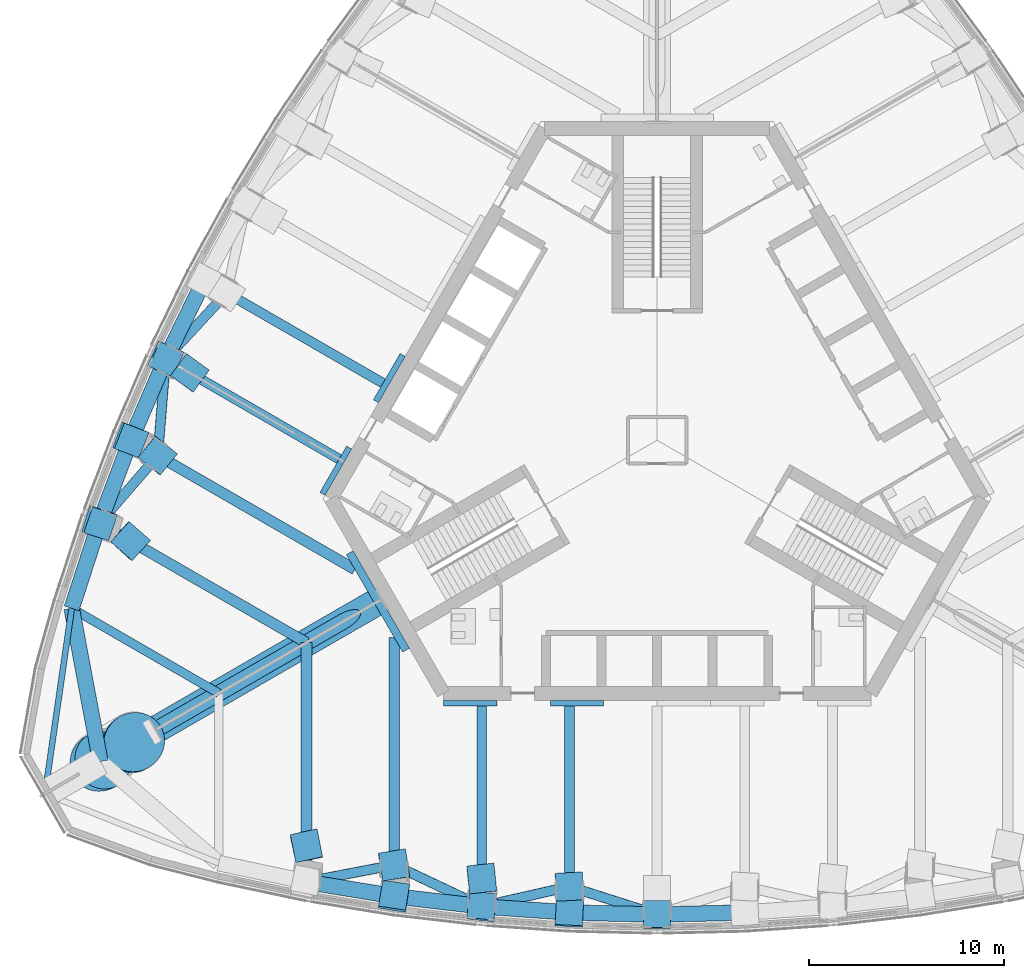
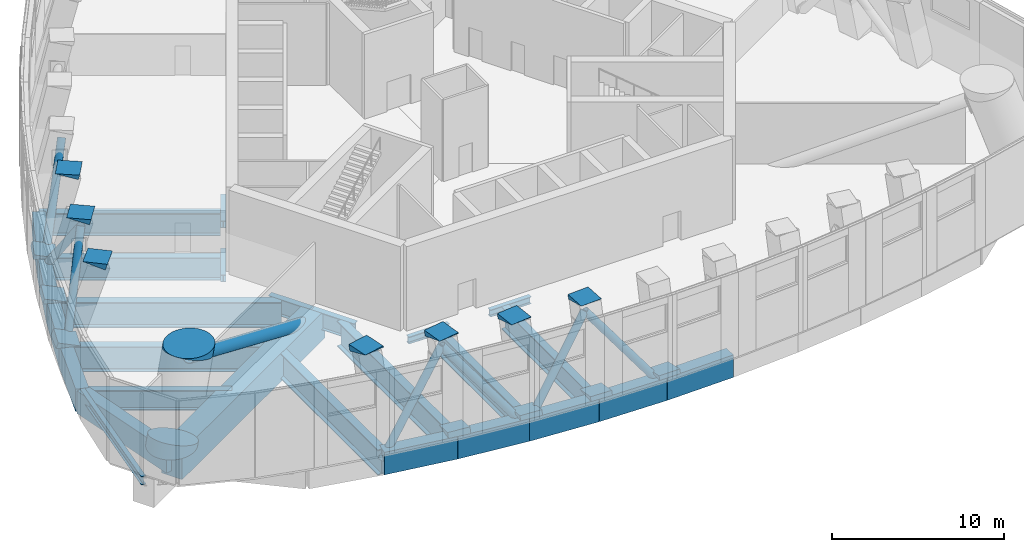
# One storey, part 2 of 22: 27 beams, 24 members.
"""IFC4 building model written with IfcOpenShell, lengths in metres."""

from ifc_helpers import new_model, si_unit, direction, frame, origin, origin_2d, place, context, subcontext, project, spatial, rectangle, circle, hollow_circle, i_section, extrude, clip, halfspace, material, material_profile, profile_set, type_object, element, save


model = new_model("IFC4")

# Units and contexts
model_context = context("Model", 3, precision=1e-05, world=origin(), true_north=direction((0.0, 1.0)))
body_context = subcontext(model_context, "Body", "Model", "MODEL_VIEW")
ifc_project = project(units=[si_unit("LENGTHUNIT", "METRE"), si_unit("AREAUNIT", "SQUARE_METRE"), si_unit("VOLUMEUNIT", "CUBIC_METRE"), si_unit("PLANEANGLEUNIT", "RADIAN"), si_unit("MASSUNIT", "GRAM", prefix="KILO")], contexts=[model_context])

# Site, building, storey
site_placement = place(None, origin())
site = spatial("IfcSite", under=ifc_project, at=site_placement, CompositionType="ELEMENT")
building_placement = place(site_placement, origin())
building = spatial("IfcBuilding", under=site, at=building_placement, Name="Trefoil Bronze Tower", CompositionType="ELEMENT")
storey_placement = place(building_placement, frame((0.0, 0.0, 265.300048828125)))
storey = spatial("IfcBuildingStorey", under=building, at=storey_placement, Name="L61", CompositionType="ELEMENT", Elevation=265.300048828125)

# Members
ifc_material_1 = material(Name="Steel C355", Category="steel")
ifc_material_profile_1 = material_profile(ifc_material_1, hollow_circle(Radius=0.25390625, WallThickness=0.02001953125, at=origin_2d()), Name="CHS 508x20")
ifc_profile_set_1 = profile_set([ifc_material_profile_1], Name="Steel C355")
member_type_1 = type_object("IfcMemberType", Name="Belt truss diagonal CHS 508x20", PredefinedType="BRACE", material=ifc_profile_set_1)
member_1_placement = place(storey_placement, frame((-18.0, -22.6689453125, -1.050048828125), z_axis=(0.592909499629, 0.114129931895, 0.797140316315), x_axis=(-0.189021276876, 0.981972991934, 0.0)))
element("IfcMember", 1, at=member_1_placement, inside=storey, type_object=member_type_1, Name="Belt truss diagonal F1.1 L61", PredefinedType="BRACE", context=body_context, shape_type="SweptSolid", body=[
    extrude(hollow_circle(Radius=0.25390625, WallThickness=0.02001953125, at=origin_2d()), origin(), (0.0, 0.0, 1.0), 7.589599609375),
])
member_2_placement = place(storey_placement, frame((-9.0, -23.932861328125, -1.050048828125), z_axis=(-0.574330415739, 0.271865933015, 0.7721615686), x_axis=(-0.427848134135, -0.903850637062, 0.0)))
element("IfcMember", 2, at=member_2_placement, inside=storey, type_object=member_type_1, Name="Belt truss diagonal F1.2 L61", PredefinedType="BRACE", context=body_context, shape_type="SweptSolid", body=[
    extrude(hollow_circle(Radius=0.25390625, WallThickness=0.02001953125, at=origin_2d()), origin(), (0.0, 0.0, 1.0), 7.835205078125),
])
member_3_placement = place(storey_placement, frame((-9.0, -23.932861328125, -1.050048828125), z_axis=(0.591432198827, 0.133932183046, 0.795154151429), x_axis=(-0.220861740551, 0.975305127414, 0.0)))
element("IfcMember", 3, at=member_3_placement, inside=storey, type_object=member_type_1, Name="Belt truss diagonal F1.3 L61", PredefinedType="BRACE", context=body_context, shape_type="SweptSolid", body=[
    extrude(hollow_circle(Radius=0.25390625, WallThickness=0.02001953125, at=origin_2d()), origin(), (0.0, 0.0, 1.0), 7.608642578125),
])
member_4_placement = place(storey_placement, frame((0.0, -24.3505859375, -1.050048828125), z_axis=(-0.586260665905, 0.187182292689, 0.788201256607), x_axis=(-0.304154940305, -0.952622575991, 0.0)))
element("IfcMember", 4, at=member_4_placement, inside=storey, type_object=member_type_1, Name="Belt truss diagonal F1.4 L61", PredefinedType="BRACE", context=body_context, shape_type="SweptSolid", body=[
    extrude(hollow_circle(Radius=0.25390625, WallThickness=0.02001953125, at=origin_2d()), origin(), (0.0, 0.0, 1.0), 7.67578125),
])
member_5_placement = place(storey_placement, frame((-25.2265625, 4.17236328125, -1.050048828125), z_axis=(0.411713780326, 0.445213054479, 0.795158537156), x_axis=(-0.734188455792, 0.678945735226, 0.0)))
element("IfcMember", 5, at=member_5_placement, inside=storey, type_object=member_type_1, Name="Belt truss diagonal F3.6 L61", PredefinedType="BRACE", context=body_context, shape_type="SweptSolid", body=[
    extrude(hollow_circle(Radius=0.25390625, WallThickness=0.02001953125, at=origin_2d()), origin(), (0.0, 0.0, 1.0), 7.608642578125),
])
member_6_placement = place(storey_placement, frame((-25.2265625, 4.17236328125, -1.050048828125), z_axis=(-0.051692615615, -0.633335807704, 0.772148708586), x_axis=(0.996685670692, -0.081349086278, 0.0)))
element("IfcMember", 6, at=member_6_placement, inside=storey, type_object=member_type_1, Name="Belt truss diagonal F3.7 L61", PredefinedType="BRACE", context=body_context, shape_type="SweptSolid", body=[
    extrude(hollow_circle(Radius=0.25390625, WallThickness=0.02001953125, at=origin_2d()), origin(), (0.0, 0.0, 1.0), 7.83544921875),
])
member_7_placement = place(storey_placement, frame((-28.632080078125, -4.25390625, -1.050048828125), z_axis=(0.395333956478, 0.456387158219, 0.797133504921), x_axis=(-0.755854289875, 0.654739866265, 0.0)))
element("IfcMember", 7, at=member_7_placement, inside=storey, type_object=member_type_1, Name="Belt truss diagonal F3.8 L61", PredefinedType="BRACE", context=body_context, shape_type="SweptSolid", body=[
    extrude(hollow_circle(Radius=0.25390625, WallThickness=0.02001953125, at=origin_2d()), origin(), (0.0, 0.0, 1.0), 7.58984375),
])
ifc_material_2 = material(Name="Concrete B80", Category="concrete")
ifc_material_profile_2 = material_profile(ifc_material_2, rectangle(XDim=1.39990234375, YDim=1.39990234375, at=origin_2d()), Name="RC 1400x1400")
ifc_profile_set_2 = profile_set([ifc_material_profile_2], Name="Concrete B80")
member_type_2 = type_object("IfcMemberType", Name="Column node RC 1400x1400", PredefinedType="MEMBER", material=ifc_profile_set_2)
member_8_placement = place(storey_placement, frame((0.0, -24.3828125, -0.149169921875), z_axis=(0.0, 0.211167567152, 0.977449875228), x_axis=(1.0, 0.0, 0.0)))
element("IfcMember", 8, at=member_8_placement, inside=storey, type_object=member_type_2, Name="Column node TC1414 L61 bottom", PredefinedType="MEMBER", context=body_context, shape_type="Clipping", body=[
    clip(extrude(rectangle(XDim=1.39990234375, YDim=1.39990234375, at=origin_2d()), origin(), (0.0, 0.0, 1.0), 0.30517578125), halfspace(frame((0.0, 0.0, 0.152587890625), z_axis=(2.5860568519684308e-17, -0.21116756715233684, 0.9774498752278622), x_axis=(0.0, 0.9774498752278622, 0.21116756715233684)), True)),
])
member_9_placement = place(storey_placement, frame((-4.5, -24.281982421875, -0.160400390625), z_axis=(0.0, 0.216930457819, 0.976187060184), x_axis=(0.998647449016, -0.050754898739, 0.011278866387)))
element("IfcMember", 9, at=member_9_placement, inside=storey, type_object=member_type_2, Name="Column node TC1414 L61 bottom", PredefinedType="MEMBER", context=body_context, shape_type="Clipping", body=[
    clip(extrude(rectangle(XDim=1.39990234375, YDim=1.39990234375, at=origin_2d()), origin(), (0.0, 0.0, 1.0), 0.32861328125), halfspace(frame((0.0, 0.0, 0.164306640625), z_axis=(0.011278866386525954, -0.21663704831456382, 0.9761870601839528), x_axis=(0.0, 0.9762491578665183, 0.21665082913507133)), True)),
])
member_10_placement = place(storey_placement, frame((-4.5, -22.878173828125, 6.160400390625), z_axis=(0.0, -0.216930457819, -0.976187060184), x_axis=(-0.998647449016, -0.050754898739, 0.011278866387)))
element("IfcMember", 10, at=member_10_placement, inside=storey, type_object=member_type_2, Name="Column node TC1414 L61 top", PredefinedType="MEMBER", context=body_context, shape_type="Clipping", body=[
    clip(extrude(rectangle(XDim=1.39990234375, YDim=1.39990234375, at=origin_2d()), origin(), (0.0, 0.0, 1.0), 0.32861328125), halfspace(frame((0.0, 0.0, 0.164306640625), z_axis=(-0.011278866386525954, 0.21663704831456382, 0.9761870601839528), x_axis=(0.0, 0.9762491578665183, -0.21665082913507133)), True)),
])
member_11_placement = place(storey_placement, frame((-9.0, -23.975830078125, -0.1796875), z_axis=(0.0, 0.231948088416, 0.972728165666), x_axis=(0.994615241978, -0.10081012514, 0.024038283916)))
element("IfcMember", 11, at=member_11_placement, inside=storey, type_object=member_type_2, Name="Column node TC1414 L61 bottom", PredefinedType="MEMBER", context=body_context, shape_type="Clipping", body=[
    clip(extrude(rectangle(XDim=1.39990234375, YDim=1.39990234375, at=origin_2d()), origin(), (0.0, 0.0, 1.0), 0.369384765625), halfspace(frame((0.0, 0.0, 0.1845703125), z_axis=(0.02403828391574138, -0.23069910408659625, 0.9727281656660447), x_axis=(0.0, 0.9730093277025166, 0.23076578646735452)), True)),
])
member_12_placement = place(storey_placement, frame((-9.0, -22.456298828125, 6.1796875), z_axis=(0.0, -0.231948088416, -0.972728165666), x_axis=(-0.994615241978, -0.10081012514, 0.024038283916)))
element("IfcMember", 12, at=member_12_placement, inside=storey, type_object=member_type_2, Name="Column node TC1414 L61 top", PredefinedType="MEMBER", context=body_context, shape_type="Clipping", body=[
    clip(extrude(rectangle(XDim=1.39990234375, YDim=1.39990234375, at=origin_2d()), origin(), (0.0, 0.0, 1.0), 0.369384765625), halfspace(frame((0.0, 0.0, 0.184814453125), z_axis=(-0.02403828391574138, 0.23069910408659625, 0.9727281656660447), x_axis=(0.0, 0.9730093277025166, -0.23076578646735452)), True)),
])
member_13_placement = place(storey_placement, frame((-13.5, -23.4638671875, -0.207763671875), z_axis=(0.0, 0.258263185459, 0.966074597035), x_axis=(0.987991746105, -0.149264964439, 0.03990338356)))
element("IfcMember", 13, at=member_13_placement, inside=storey, type_object=member_type_2, Name="Column node TC1414 L61 bottom", PredefinedType="MEMBER", context=body_context, shape_type="Clipping", body=[
    clip(extrude(rectangle(XDim=1.39990234375, YDim=1.39990234375, at=origin_2d()), origin(), (0.0, 0.0, 1.0), 0.43017578125), halfspace(frame((0.0, 0.0, 0.215087890625), z_axis=(0.03990338356040062, -0.2551618955561232, 0.9660745970351553), x_axis=(0.0, 0.9668446473982658, 0.2553652830698079)), True)),
])
member_14_placement = place(storey_placement, frame((-13.5, -21.7470703125, 6.207763671875), z_axis=(0.0, -0.258792820704, -0.965932852714), x_axis=(-0.987991746105, -0.149243063997, 0.039985215736)))
element("IfcMember", 14, at=member_14_placement, inside=storey, type_object=member_type_2, Name="Column node TC1414 L61 top", PredefinedType="MEMBER", context=body_context, shape_type="Clipping", body=[
    clip(extrude(rectangle(XDim=1.39990234375, YDim=1.39990234375, at=origin_2d()), origin(), (0.0, 0.0, 1.0), 0.43017578125), halfspace(frame((0.0, 0.0, 0.215087890625), z_axis=(-0.039985215735906535, 0.25568517080640274, 0.9659328527140246), x_axis=(0.0, 0.9667059550382476, -0.25588981318839066)), True)),
])
member_15_placement = place(storey_placement, frame((-18.0, -20.740478515625, 6.245361328125), z_axis=(0.0, -0.29475392013, -0.95557319268), x_axis=(-0.97894629738, -0.195049663015, 0.060164572671)))
element("IfcMember", 15, at=member_15_placement, inside=storey, type_object=member_type_2, Name="Column node TC1414 L61 top", PredefinedType="MEMBER", context=body_context, shape_type="Clipping", body=[
    clip(extrude(rectangle(XDim=1.39990234375, YDim=1.39990234375, at=origin_2d()), origin(), (0.0, 0.0, 1.0), 0.513427734375), halfspace(frame((0.0, 0.0, 0.2568359375), z_axis=(-0.06016457267118556, 0.28854825874941586, 0.955573192679647), x_axis=(0.0, 0.9573073824973932, -0.28907192083630256)), True)),
])
member_16_placement = place(storey_placement, frame((-25.263671875, 4.19384765625, -0.1796875), z_axis=(0.200881135237, -0.116299604611, 0.9726876022), x_axis=(-0.411098217453, -0.911273597197, -0.02405590693)))
element("IfcMember", 16, at=member_16_placement, inside=storey, type_object=member_type_2, Name="Column node TC1414 L61 bottom", PredefinedType="MEMBER", context=body_context, shape_type="Clipping", body=[
    clip(extrude(rectangle(XDim=1.39990234375, YDim=1.39990234375, at=origin_2d()), origin(), (0.0, 0.0, 1.0), 0.369384765625), halfspace(frame((0.0, 0.0, 0.184814453125), z_axis=(-0.02405590693003195, -0.23086823486241995, 0.9726876021998452), x_axis=(0.0, 0.972969165077258, 0.2309350640523511)), True)),
])
member_17_placement = place(storey_placement, frame((-23.94775390625, 3.433837890625, 6.1796875), z_axis=(-0.200881135237, 0.116299604611, -0.9726876022), x_axis=(0.585578405477, 0.810258751499, -0.02405590693)))
element("IfcMember", 17, at=member_17_placement, inside=storey, type_object=member_type_2, Name="Column node TC1414 L61 top", PredefinedType="MEMBER", context=body_context, shape_type="Clipping", body=[
    clip(extrude(rectangle(XDim=1.39990234375, YDim=1.39990234375, at=origin_2d()), origin(), (0.0, 0.0, 1.0), 0.369384765625), halfspace(frame((0.0, 0.0, 0.184814453125), z_axis=(0.02405590693003195, 0.23086823486241995, 0.9726876021998452), x_axis=(0.0, 0.972969165077258, -0.2309350640523511)), True)),
])
member_18_placement = place(storey_placement, frame((-27.0703125, 0.04052734375, -0.207763671875), z_axis=(0.22364825769, -0.128853183999, 0.966115062405), x_axis=(-0.363879703988, -0.930591826476, -0.039879988977)))
element("IfcMember", 18, at=member_18_placement, inside=storey, type_object=member_type_2, Name="Column node TC1414 L61 bottom", PredefinedType="MEMBER", context=body_context, shape_type="Clipping", body=[
    clip(extrude(rectangle(XDim=1.39990234375, YDim=1.39990234375, at=origin_2d()), origin(), (0.0, 0.0, 1.0), 0.43017578125), halfspace(frame((0.0, 0.0, 0.215087890625), z_axis=(-0.03987998897700181, -0.25501229906296485, 0.966115062404999), x_axis=(0.0, 0.9668842412399599, 0.2552153287751874)), True)),
])
member_19_placement = place(storey_placement, frame((-25.58349609375, -0.81787109375, 6.207763671875), z_axis=(-0.224170970266, 0.129394889166, -0.965921497197), x_axis=(0.623163507295, 0.781068436186, -0.039991763767)))
element("IfcMember", 19, at=member_19_placement, inside=storey, type_object=member_type_2, Name="Column node TC1414 L61 top", PredefinedType="MEMBER", context=body_context, shape_type="Clipping", body=[
    clip(extrude(rectangle(XDim=1.39990234375, YDim=1.39990234375, at=origin_2d()), origin(), (0.0, 0.0, 1.0), 0.43017578125), halfspace(frame((0.0, 0.0, 0.215087890625), z_axis=(0.03999176376691203, 0.25572704214297737, 0.9659214971971664), x_axis=(0.0, 0.9666948439632254, -0.255931785159474)), True)),
])
member_20_placement = place(storey_placement, frame((-28.697509765625, -4.216064453125, -0.245361328125), z_axis=(0.25529293696, -0.147375810908, 0.955565741693), x_axis=(-0.320507525756, -0.94533304017, -0.060169503046)))
element("IfcMember", 20, at=member_20_placement, inside=storey, type_object=member_type_2, Name="Column node TC1414 L61 bottom", PredefinedType="MEMBER", context=body_context, shape_type="Clipping", body=[
    clip(extrude(rectangle(XDim=1.39990234375, YDim=1.39990234375, at=origin_2d()), origin(), (0.0, 0.0, 1.0), 0.513427734375), halfspace(frame((0.0, 0.0, 0.2568359375), z_axis=(-0.06016950304559612, -0.28857190474053634, 0.9555657416931944), x_axis=(0.0, 0.957300202999786, 0.2890956958112114)), True)),
])
member_21_placement = place(storey_placement, frame((-26.961669921875, -5.21826171875, 6.245361328125), z_axis=(-0.25573727753, 0.147357910844, -0.95544967999), x_axis=(0.657726052842, 0.750844077946, -0.060246244908)))
element("IfcMember", 21, at=member_21_placement, inside=storey, type_object=member_type_2, Name="Column node TC1414 L61 top", PredefinedType="MEMBER", context=body_context, shape_type="Clipping", body=[
    clip(extrude(rectangle(XDim=1.39990234375, YDim=1.39990234375, at=origin_2d()), origin(), (0.0, 0.0, 1.0), 0.513671875), halfspace(frame((0.0, 0.0, 0.2568359375), z_axis=(0.06024624490829453, 0.2889399573979671, 0.9554496799901662), x_axis=(0.0, 0.9571883693663649, -0.28946575885544656)), True)),
])
ifc_material_3 = material(Name="Concrete B80", Category="concrete")
ifc_material_profile_3 = material_profile(ifc_material_3, circle(Radius=1.5, at=origin_2d()), Name="RC D3000")
ifc_profile_set_3 = profile_set([ifc_material_profile_3], Name="Concrete B80")
member_type_3 = type_object("IfcMemberType", Name="Column node RC D3000", PredefinedType="MEMBER", material=ifc_profile_set_3)
member_22_placement = place(storey_placement, frame((-28.716064453125, -16.5791015625, -0.475341796875), z_axis=(0.273849064613, 0.157877396681, 0.948726207832), x_axis=(-0.499455527893, 0.866339526777, 0.0)))
element("IfcMember", 22, at=member_22_placement, inside=storey, type_object=member_type_3, Name="Column node MC30 L61 bottom", PredefinedType="MEMBER", context=body_context, shape_type="Clipping", body=[
    clip(extrude(circle(Radius=1.5, at=origin_2d()), origin(), (0.0, 0.0, 1.0), 1.001953125), halfspace(frame((0.0, 0.0, 0.5009765625), z_axis=(0.0, 0.3160990075470131, 0.9487262078322668), x_axis=(0.0, 0.9487262078322668, -0.3160990075470131)), True)),
])
member_23_placement = place(storey_placement, frame((-26.70947265625, -15.4208984375, 6.475341796875), z_axis=(-0.273849064613, -0.157877396681, -0.948726207832), x_axis=(0.499455527893, -0.866339526777, 0.0)))
element("IfcMember", 23, at=member_23_placement, inside=storey, type_object=member_type_3, Name="Column node MC30 L61 top", PredefinedType="MEMBER", context=body_context, shape_type="Clipping", body=[
    clip(extrude(circle(Radius=1.5, at=origin_2d()), origin(), (0.0, 0.0, 1.0), 1.001953125), halfspace(frame((0.0, 0.0, 0.501220703125), z_axis=(0.0, -0.3160990075470131, 0.9487262078322668), x_axis=(0.0, 0.9487262078322668, 0.3160990075470131)), True)),
])

# Beams
ifc_material_4 = material(Name="Steel C355", Category="steel")
ifc_material_profile_4 = material_profile(ifc_material_4, i_section(OverallWidth=0.300048828125, OverallDepth=0.5, WebThickness=0.014404296875, FlangeThickness=0.028076171875, FilletRadius=0.027099609375, at=origin_2d()), Name="HEB 500")
ifc_profile_set_4 = profile_set([ifc_material_profile_4], Name="Steel C355")
beam_type_1 = type_object("IfcBeamType", Name="Core seat beam HEB 500", PredefinedType="BEAM", material=ifc_profile_set_4)
for number, where, z_axis, x_axis, name in (
    (24, (-10.9697265625, -13.5, -0.5), (1.0, 0.0, 0.0), (0.0, 1.0, 0.0), "Core seat beam F1/-2 L61"),
    (25, (-5.48486328125, -13.5, -0.5), (1.0, 0.0, 0.0), (0.0, 1.0, 0.0), "Core seat beam F1/-1 L61"),
    (26, (-13.0625, 4.375, -0.5), (-0.500035825175, -0.866004719122, 0.0), (0.866004719122, -0.500035825175, 0.0), "Core seat beam F3/+1 L61"),
    (27, (-15.804931640625, -0.375, -0.5), (-0.500035825175, -0.866004719122, 0.0), (0.866004719122, -0.500035825175, 0.0), "Core seat beam F3/+2 L61"),
):
    element("IfcBeam", number, at=place(storey_placement, frame(where, z_axis=z_axis, x_axis=x_axis)), inside=storey, type_object=beam_type_1, Name=name, PredefinedType="BEAM", context=body_context, shape_type="SweptSolid", body=[
        extrude(i_section(OverallWidth=0.300048828125, OverallDepth=0.5, WebThickness=0.014404296875, FlangeThickness=0.028076171875, FilletRadius=0.027099609375, at=origin_2d()), origin(), (0.0, 0.0, 1.0), 2.742431640625),
    ])
ifc_material_5 = material(Name="Steel C355", Category="steel")
ifc_material_profile_5 = material_profile(ifc_material_5, i_section(OverallWidth=0.39990234375, OverallDepth=1.199951171875, WebThickness=0.02001953125, FlangeThickness=0.0400390625, FilletRadius=0.010009765625, at=origin_2d()), Name="WPG 1200")
ifc_profile_set_5 = profile_set([ifc_material_profile_5], Name="Steel C355")
beam_type_2 = type_object("IfcBeamType", Name="Core seat beam WPG 1200", PredefinedType="BEAM", material=ifc_profile_set_5)
for number, where, z_axis, x_axis, name in (
    (28, (-14.332763671875, -8.27490234375, -0.85009765625), (0.499995765644, -0.866027848477, 0.0), (0.866027848477, 0.499995765644, 0.0), "Core seat beam F1/-3 L61"),
    (29, (-15.776123046875, -5.77490234375, -0.85009765625), (0.499995765644, -0.866027848477, 0.0), (0.866027848477, 0.499995765644, 0.0), "Core seat beam F3/+3 L61"),
):
    element("IfcBeam", number, at=place(storey_placement, frame(where, z_axis=z_axis, x_axis=x_axis)), inside=storey, type_object=beam_type_2, Name=name, PredefinedType="BEAM", context=body_context, shape_type="SweptSolid", body=[
        extrude(i_section(OverallWidth=0.39990234375, OverallDepth=1.199951171875, WebThickness=0.02001953125, FlangeThickness=0.0400390625, FilletRadius=0.010009765625, at=origin_2d()), origin(), (0.0, 0.0, 1.0), 2.88671875),
    ])
ifc_material_6 = material(Name="Steel C355", Category="steel")
ifc_material_profile_6 = material_profile(ifc_material_6, i_section(OverallWidth=0.300048828125, OverallDepth=0.60009765625, WebThickness=0.015380859375, FlangeThickness=0.030029296875, FilletRadius=0.027099609375, at=origin_2d()), Name="HEB 600")
ifc_profile_set_6 = profile_set([ifc_material_profile_6], Name="Steel C355")
beam_type_3 = type_object("IfcBeamType", Name="Corner edge beam HEB 600", PredefinedType="BEAM", material=ifc_profile_set_6)
beam_1_placement = place(storey_placement, frame((-30.052001953125, -8.63037109375, -0.550048828125), z_axis=(-0.142694489722, -0.989766781925, 0.0), x_axis=(0.989766781925, -0.142694489722, 0.0)))
element("IfcBeam", 30, at=beam_1_placement, inside=storey, type_object=beam_type_3, Name="Corner edge beam F3A L61", PredefinedType="BEAM", context=body_context, shape_type="SweptSolid", body=[
    extrude(i_section(OverallWidth=0.300048828125, OverallDepth=0.60009765625, WebThickness=0.015380859375, FlangeThickness=0.030029296875, FilletRadius=0.027099609375, at=origin_2d()), origin(), (0.0, 0.0, 1.0), 9.6103515625),
])
ifc_material_7 = material(Name="Concrete B80", Category="concrete")
ifc_material_profile_7 = material_profile(ifc_material_7, rectangle(XDim=1.39990234375, YDim=2.0, at=origin_2d()), Name="RC 1400x2000")
ifc_profile_set_7 = profile_set([ifc_material_profile_7], Name="Concrete B80")
beam_type_4 = type_object("IfcBeamType", Name="Corner girder RC 1400x2000", PredefinedType="BEAM", material=ifc_profile_set_7)
beam_2_placement = place(storey_placement, frame((-14.159423828125, -8.175048828125, -1.25), z_axis=(-0.866028334591, -0.49999492366, 0.0), x_axis=(0.49999492366, -0.866028334591, 0.0)))
element("IfcBeam", 31, at=beam_2_placement, inside=storey, type_object=beam_type_4, Name="Corner girder K3 L61", PredefinedType="BEAM", context=body_context, shape_type="SweptSolid", body=[
    extrude(rectangle(XDim=1.39990234375, YDim=2.0, at=origin_2d()), origin(), (0.0, 0.0, 1.0), 16.650146484375),
])
ifc_material_8 = material(Name="Concrete B80", Category="concrete")
ifc_material_profile_8 = material_profile(ifc_material_8, rectangle(XDim=0.800048828125, YDim=1.60009765625, at=origin_2d()), Name="RC 800x1600")
ifc_profile_set_8 = profile_set([ifc_material_profile_8], Name="Concrete B80")
beam_type_5 = type_object("IfcBeamType", Name="End spandrel beam RC 800x1600", PredefinedType="SPANDREL", material=ifc_profile_set_8)
beam_3_placement = place(storey_placement, frame((-30.052001953125, -8.63037109375, -1.050048828125), z_axis=(0.18399763073, -0.982926686933, 0.0), x_axis=(0.982926686933, 0.18399763073, 0.0)))
element("IfcBeam", 32, at=beam_3_placement, inside=storey, type_object=beam_type_5, Name="Spandrel F3.12 L61", PredefinedType="SPANDREL", context=body_context, shape_type="SweptSolid", body=[
    extrude(rectangle(XDim=0.800048828125, YDim=1.60009765625, at=origin_2d()), origin(), (0.0, 0.0, 1.0), 8.00634765625),
])
ifc_material_9 = material(Name="Steel C355", Category="steel")
ifc_material_profile_9 = material_profile(ifc_material_9, i_section(OverallWidth=0.449951171875, OverallDepth=1.39990234375, WebThickness=0.02294921875, FlangeThickness=0.044921875, FilletRadius=0.011962890625, at=origin_2d()), Name="WPG 1400")
ifc_profile_set_9 = profile_set([ifc_material_profile_9], Name="Steel C355")
beam_type_6 = type_object("IfcBeamType", Name="Floor beam WPG 1400", PredefinedType="BEAM", material=ifc_profile_set_9)
beam_4_placement = place(storey_placement, frame((-30.052001953125, -8.63037109375, -0.949951171875), z_axis=(0.866027535932, -0.499996306993, 0.0), x_axis=(0.499996306993, 0.866027535932, 0.0)))
element("IfcBeam", 33, at=beam_4_placement, inside=storey, type_object=beam_type_6, Name="Floor beam F3/+5 L61", PredefinedType="BEAM", context=body_context, shape_type="SweptSolid", body=[
    extrude(i_section(OverallWidth=0.449951171875, OverallDepth=1.39990234375, WebThickness=0.02294921875, FlangeThickness=0.044921875, FilletRadius=0.011962890625, at=origin_2d()), origin(), (0.0, 0.0, 1.0), 8.72021484375),
])
ifc_material_10 = material(Name="Steel C355", Category="steel")
ifc_material_profile_10 = material_profile(ifc_material_10, i_section(OverallWidth=0.5, OverallDepth=1.60009765625, WebThickness=0.02587890625, FlangeThickness=0.050048828125, FilletRadius=0.011962890625, at=origin_2d()), Name="WPG 1600")
ifc_profile_set_10 = profile_set([ifc_material_profile_10], Name="Steel C355")
beam_type_7 = type_object("IfcBeamType", Name="Floor beam WPG 1600", PredefinedType="BEAM", material=ifc_profile_set_10)
beam_5_placement = place(storey_placement, frame((-9.0, -23.932861328125, -1.050048828125), z_axis=(0.0, 1.0, 0.0), x_axis=(-1.0, 0.0, 0.0)))
element("IfcBeam", 34, at=beam_5_placement, inside=storey, type_object=beam_type_7, Name="Floor beam F1/-2 L61", PredefinedType="BEAM", context=body_context, shape_type="SweptSolid", body=[
    extrude(i_section(OverallWidth=0.5, OverallDepth=1.60009765625, WebThickness=0.02587890625, FlangeThickness=0.050048828125, FilletRadius=0.011962890625, at=origin_2d()), origin(), (0.0, 0.0, 1.0), 10.282958984375),
])
for number, where, z_axis, x_axis, name in (
    (35, (-4.5, -24.246337890625, -1.050048828125), (0.0, 1.0, 0.0), (-1.0, 0.0, 0.0), "Floor beam F1/-1 L61"),
    (36, (-23.248046875, 8.22607421875, -1.050048828125), (0.86602981261, -0.499992363612, 0.0), (0.499992363612, 0.86602981261, 0.0), "Floor beam F3/+1 L61"),
):
    element("IfcBeam", number, at=place(storey_placement, frame(where, z_axis=z_axis, x_axis=x_axis)), inside=storey, type_object=beam_type_7, Name=name, PredefinedType="BEAM", context=body_context, shape_type="SweptSolid", body=[
        extrude(i_section(OverallWidth=0.5, OverallDepth=1.60009765625, WebThickness=0.02587890625, FlangeThickness=0.050048828125, FilletRadius=0.011962890625, at=origin_2d()), origin(), (0.0, 0.0, 1.0), 10.596435546875),
    ])
beam_6_placement = place(storey_placement, frame((-25.2265625, 4.17236328125, -1.050048828125), z_axis=(0.866019527493, -0.500010177898, 0.0), x_axis=(0.500010177898, 0.866019527493, 0.0)))
element("IfcBeam", 37, at=beam_6_placement, inside=storey, type_object=beam_type_7, Name="Floor beam F3/+2 L61", PredefinedType="BEAM", context=body_context, shape_type="SweptSolid", body=[
    extrude(i_section(OverallWidth=0.5, OverallDepth=1.60009765625, WebThickness=0.02587890625, FlangeThickness=0.050048828125, FilletRadius=0.011962890625, at=origin_2d()), origin(), (0.0, 0.0, 1.0), 10.282958984375),
])
ifc_material_11 = material(Name="Steel C355", Category="steel")
ifc_material_profile_11 = material_profile(ifc_material_11, i_section(OverallWidth=0.550048828125, OverallDepth=1.800048828125, WebThickness=0.029052734375, FlangeThickness=0.054931640625, FilletRadius=0.013916015625, at=origin_2d()), Name="WPG 1800")
ifc_profile_set_11 = profile_set([ifc_material_profile_11], Name="Steel C355")
beam_type_8 = type_object("IfcBeamType", Name="Floor beam WPG 1800", PredefinedType="BEAM", material=ifc_profile_set_11)
beam_7_placement = place(storey_placement, frame((-18.0, -22.6689453125, -1.150146484375), z_axis=(0.0, 1.0, 0.0), x_axis=(-1.0, 0.0, 0.0)))
element("IfcBeam", 38, at=beam_7_placement, inside=storey, type_object=beam_type_8, Name="Floor beam F1/-4 L61", PredefinedType="BEAM", context=body_context, shape_type="SweptSolid", body=[
    extrude(i_section(OverallWidth=0.550048828125, OverallDepth=1.800048828125, WebThickness=0.029052734375, FlangeThickness=0.054931640625, FilletRadius=0.013916015625, at=origin_2d()), origin(), (0.0, 0.0, 1.0), 12.276611328125),
])
for number, where, z_axis, x_axis, name in (
    (39, (-13.5, -23.408447265625, -1.150146484375), (0.0, 1.0, 0.0), (-1.0, 0.0, 0.0), "Floor beam F1/-3 L61"),
    (40, (-27.022216796875, 0.012939453125, -1.150146484375), (0.866023461342, -0.500003364394, 0.0), (0.500003364394, 0.866023461342, 0.0), "Floor beam F3/+3 L61"),
):
    element("IfcBeam", number, at=place(storey_placement, frame(where, z_axis=z_axis, x_axis=x_axis)), inside=storey, type_object=beam_type_8, Name=name, PredefinedType="BEAM", context=body_context, shape_type="SweptSolid", body=[
        extrude(i_section(OverallWidth=0.550048828125, OverallDepth=1.800048828125, WebThickness=0.029052734375, FlangeThickness=0.054931640625, FilletRadius=0.013916015625, at=origin_2d()), origin(), (0.0, 0.0, 1.0), 13.291015625),
    ])
beam_8_placement = place(storey_placement, frame((-28.632080078125, -4.25390625, -1.150146484375), z_axis=(0.866025635187, -0.499999599199, 0.0), x_axis=(0.499999599199, 0.866025635187, 0.0)))
element("IfcBeam", 41, at=beam_8_placement, inside=storey, type_object=beam_type_8, Name="Floor beam F3/+4 L61", PredefinedType="BEAM", context=body_context, shape_type="SweptSolid", body=[
    extrude(i_section(OverallWidth=0.550048828125, OverallDepth=1.800048828125, WebThickness=0.029052734375, FlangeThickness=0.054931640625, FilletRadius=0.013916015625, at=origin_2d()), origin(), (0.0, 0.0, 1.0), 12.27685546875),
])

# Member
ifc_material_12 = material(Name="Steel C355", Category="steel")
ifc_material_profile_12 = material_profile(ifc_material_12, hollow_circle(Radius=0.406494140625, WallThickness=0.030029296875, at=origin_2d()), Name="CHS 813x30")
ifc_profile_set_12 = profile_set([ifc_material_profile_12], Name="Steel C355")
member_type_4 = type_object("IfcMemberType", Name="Outrigger brace CHS 813x30", PredefinedType="BRACE", material=ifc_profile_set_12)
member_24_placement = place(storey_placement, frame((-14.1162109375, -8.14990234375, -1.25), z_axis=(-0.795997356442, -0.459579173309, 0.393922824927), x_axis=(0.500008066151, -0.86602074674, 0.0)))
element("IfcMember", 42, at=member_24_placement, inside=storey, type_object=member_type_4, Name="Outrigger brace K3 L61", PredefinedType="BRACE", context=body_context, shape_type="SweptSolid", body=[
    extrude(hollow_circle(Radius=0.406494140625, WallThickness=0.030029296875, at=origin_2d()), origin(), (0.0, 0.0, 1.0), 15.9931640625),
])

# Beams
ifc_material_13 = material(Name="Concrete B80", Category="concrete")
ifc_material_profile_13 = material_profile(ifc_material_13, rectangle(XDim=0.800048828125, YDim=1.60009765625, at=origin_2d()), Name="RC 800x1600")
ifc_profile_set_13 = profile_set([ifc_material_profile_13], Name="Concrete B80")
beam_type_9 = type_object("IfcBeamType", Name="Spandrel beam RC 800x1600", PredefinedType="SPANDREL", material=ifc_profile_set_13)
beam_9_placement = place(storey_placement, frame((-18.0, -22.6689453125, -1.050048828125), z_axis=(0.986764681833, -0.162158757664, 0.0), x_axis=(0.162158757664, 0.986764681833, 0.0)))
element("IfcBeam", 43, at=beam_9_placement, inside=storey, type_object=beam_type_9, Name="Spandrel F1.3 L61", PredefinedType="SPANDREL", context=body_context, shape_type="SweptSolid", body=[
    extrude(rectangle(XDim=0.800048828125, YDim=1.60009765625, at=origin_2d()), origin(), (0.0, 0.0, 1.0), 4.560302734375),
])
beam_10_placement = place(storey_placement, frame((-13.5, -23.408447265625, -1.050048828125), z_axis=(0.993278017132, -0.115753102257, 0.0), x_axis=(0.115753102257, 0.993278017132, 0.0)))
element("IfcBeam", 44, at=beam_10_placement, inside=storey, type_object=beam_type_9, Name="Spandrel F1.4 L61", PredefinedType="SPANDREL", context=body_context, shape_type="SweptSolid", body=[
    extrude(rectangle(XDim=0.800048828125, YDim=1.60009765625, at=origin_2d()), origin(), (0.0, 0.0, 1.0), 4.530517578125),
])
beam_11_placement = place(storey_placement, frame((-9.0, -23.932861328125, -1.050048828125), z_axis=(0.997582435881, -0.069493047291, 0.0), x_axis=(0.069493047291, 0.997582435881, 0.0)))
element("IfcBeam", 45, at=beam_11_placement, inside=storey, type_object=beam_type_9, Name="Spandrel F1.5 L61", PredefinedType="SPANDREL", context=body_context, shape_type="SweptSolid", body=[
    extrude(rectangle(XDim=0.800048828125, YDim=1.60009765625, at=origin_2d()), origin(), (0.0, 0.0, 1.0), 4.510986328125),
])
for number, where, z_axis, x_axis, name in (
    (46, (-4.5, -24.246337890625, -1.050048828125), (0.999731770792, -0.023160018779, 0.0), (0.023160018779, 0.999731770792, 0.0), "Spandrel F1.6 L61"),
    (47, (0.0, -24.3505859375, -1.050048828125), (0.999731770792, 0.023160018779, 0.0), (-0.023160018779, 0.999731770792, 0.0), "Spandrel F1.7 L61"),
):
    element("IfcBeam", number, at=place(storey_placement, frame(where, z_axis=z_axis, x_axis=x_axis)), inside=storey, type_object=beam_type_9, Name=name, PredefinedType="SPANDREL", context=body_context, shape_type="SweptSolid", body=[
        extrude(rectangle(XDim=0.800048828125, YDim=1.60009765625, at=origin_2d()), origin(), (0.0, 0.0, 1.0), 4.501220703125),
    ])
beam_12_placement = place(storey_placement, frame((-23.248046875, 8.22607421875, -1.050048828125), z_axis=(-0.438619830351, -0.898672712629, 0.0), x_axis=(0.898672712629, -0.438619830351, 0.0)))
element("IfcBeam", 48, at=beam_12_placement, inside=storey, type_object=beam_type_9, Name="Spandrel F3.8 L61", PredefinedType="SPANDREL", context=body_context, shape_type="SweptSolid", body=[
    extrude(rectangle(XDim=0.800048828125, YDim=1.60009765625, at=origin_2d()), origin(), (0.0, 0.0, 1.0), 4.5107421875),
])
beam_13_placement = place(storey_placement, frame((-25.2265625, 4.17236328125, -1.050048828125), z_axis=(-0.396350337164, -0.918099346602, 0.0), x_axis=(0.918099346602, -0.396350337164, 0.0)))
element("IfcBeam", 49, at=beam_13_placement, inside=storey, type_object=beam_type_9, Name="Spandrel F3.9 L61", PredefinedType="SPANDREL", context=body_context, shape_type="SweptSolid", body=[
    extrude(rectangle(XDim=0.800048828125, YDim=1.60009765625, at=origin_2d()), origin(), (0.0, 0.0, 1.0), 4.530517578125),
])
beam_14_placement = place(storey_placement, frame((-27.022216796875, 0.012939453125, -1.050048828125), z_axis=(-0.353005969632, -0.935621069346, 0.0), x_axis=(0.935621069346, -0.353005969632, 0.0)))
element("IfcBeam", 50, at=beam_14_placement, inside=storey, type_object=beam_type_9, Name="Spandrel F3.10 L61", PredefinedType="SPANDREL", context=body_context, shape_type="SweptSolid", body=[
    extrude(rectangle(XDim=0.800048828125, YDim=1.60009765625, at=origin_2d()), origin(), (0.0, 0.0, 1.0), 4.560546875),
])
beam_15_placement = place(storey_placement, frame((-28.632080078125, -4.25390625, -1.050048828125), z_axis=(-0.308608505504, -0.951189145402, 0.0), x_axis=(0.951189145402, -0.308608505504, 0.0)))
element("IfcBeam", 51, at=beam_15_placement, inside=storey, type_object=beam_type_9, Name="Spandrel F3.11 L61", PredefinedType="SPANDREL", context=body_context, shape_type="SweptSolid", body=[
    extrude(rectangle(XDim=0.800048828125, YDim=1.60009765625, at=origin_2d()), origin(), (0.0, 0.0, 1.0), 4.60107421875),
])

save(model, "model.ifc")
